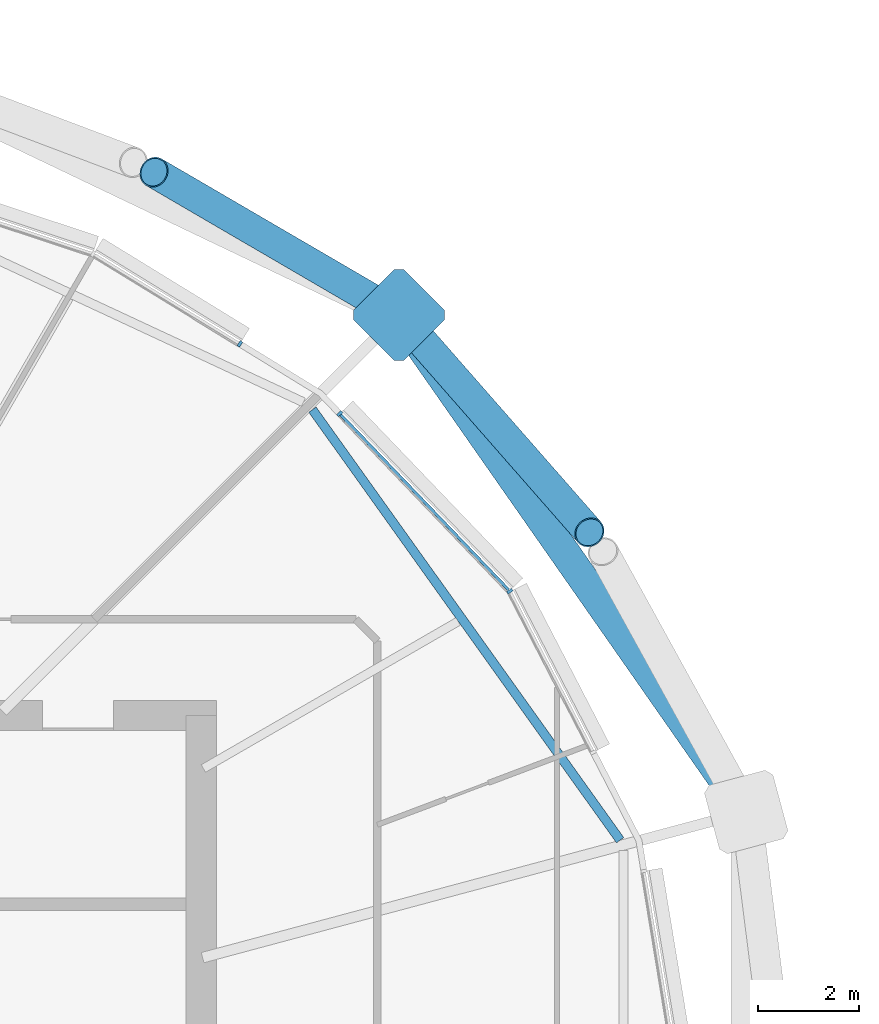
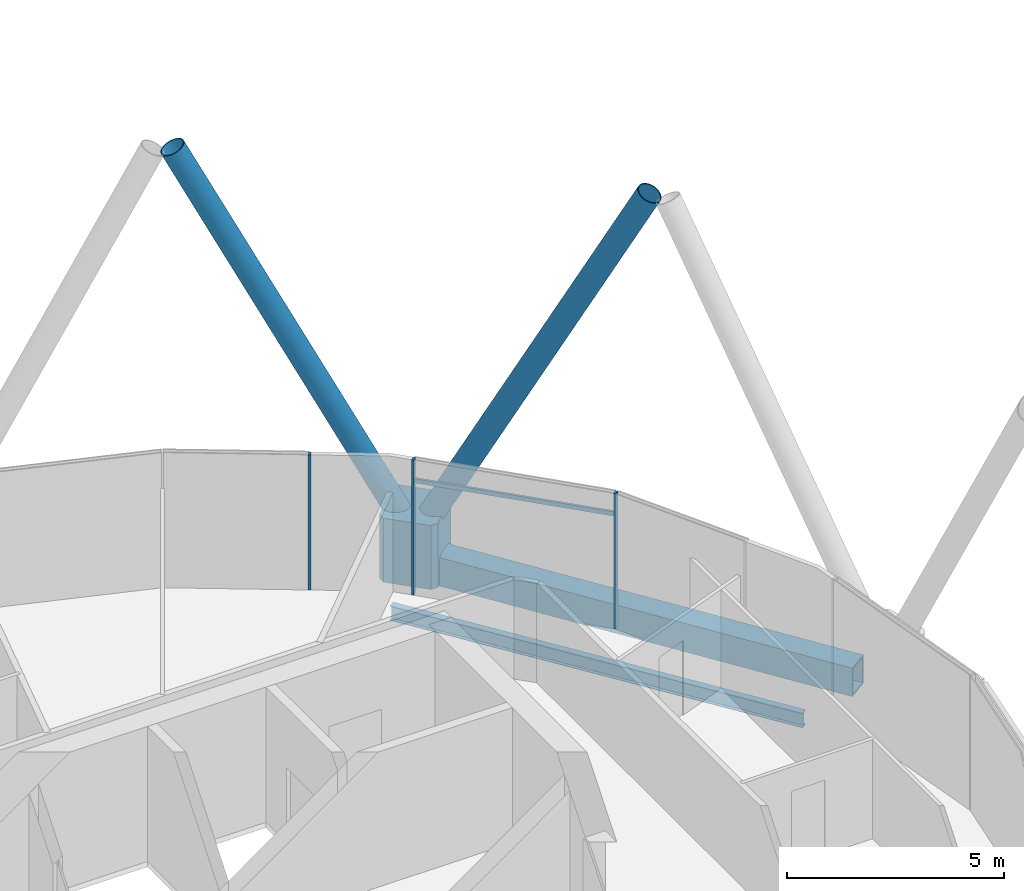
# One storey, part 12 of 36: 7 members, 2 beams, 1 element without a shape of its own.
"""IFC4 building model written with IfcOpenShell, lengths in metres."""

from ifc_helpers import new_model, si_unit, direction, frame, origin, origin_2d, place, context, subcontext, project, spatial, polyline, rectangle, hollow_rectangle, hollow_circle, i_section, outline, extrude, material, material_profile, profile_set, type_object, element, aggregate, save


model = new_model("IFC4")

# Units and contexts
model_context = context("Model", 3, precision=1e-05, world=origin(), true_north=direction((0.0, 1.0)))
body_context = subcontext(model_context, "Body", "Model", "MODEL_VIEW")
ifc_project = project(units=[si_unit("LENGTHUNIT", "METRE"), si_unit("AREAUNIT", "SQUARE_METRE"), si_unit("VOLUMEUNIT", "CUBIC_METRE"), si_unit("PLANEANGLEUNIT", "RADIAN"), si_unit("MASSUNIT", "GRAM", prefix="KILO")], contexts=[model_context])

# Site, building, storey
site_placement = place(None, origin())
site = spatial("IfcSite", under=ifc_project, at=site_placement, CompositionType="ELEMENT")
building_placement = place(site_placement, origin())
building = spatial("IfcBuilding", under=site, at=building_placement, Name="Rimbun Link Towers", CompositionType="ELEMENT")
storey_placement = place(building_placement, frame((0.0, 0.0, 193.10009765625)))
storey = spatial("IfcBuildingStorey", under=building, at=storey_placement, Name="L47", CompositionType="ELEMENT", Elevation=193.10009765625)

# Curtain wall, members
ifc_material_1 = material(Name="Aluminium 6063-T6 and low-iron glass", Category="aluminium")
curtain_wall_type = type_object("IfcCurtainWallType", Name="CW1-Z3 unitised vision wall (zone 3)", PredefinedType="NOTDEFINED", material=ifc_material_1)
curtain_wall_placement = place(storey_placement, origin())
curtain_wall = element("IfcCurtainWall", 1, at=curtain_wall_placement, inside=storey, type_object=curtain_wall_type, Name="CW1 L47 T1", PredefinedType="NOTDEFINED")
ifc_material_2 = material(Name="Aluminium 6063-T6", Category="aluminium")
ifc_material_profile_1 = material_profile(ifc_material_2, rectangle(XDim=0.1201171875, YDim=0.06005859375, at=origin_2d()), Name="MULLION 60X120")
ifc_profile_set_1 = profile_set([ifc_material_profile_1], Name="Aluminium 6063-T6")
member_type_1 = type_object("IfcMemberType", Name="CW1 mullion 60X120", PredefinedType="MULLION", material=ifc_profile_set_1)
member_1_placement = place(storey_placement, frame((-13.660888671875, 10.450439453125, 0.0), z_axis=(0.0, 0.0, 1.0), x_axis=(0.813350615069, 0.581773819423, 0.0)))
member_1 = element("IfcMember", 2, at=member_1_placement, type_object=member_type_1, Name="CW1 mullion", PredefinedType="MULLION", context=body_context, shape_type="SweptSolid", body=[
    extrude(rectangle(XDim=0.1201171875, YDim=0.06005859375, at=origin_2d()), origin(), (0.0, 0.0, 1.0), 3.7998046875),
])
member_2_placement = place(storey_placement, frame((-17.017578125, 13.952880859375, 0.0), z_axis=(0.0, 0.0, 1.0), x_axis=(0.721858505917, 0.692040676143, 0.0)))
member_2 = element("IfcMember", 3, at=member_2_placement, type_object=member_type_1, Name="CW1 mullion", PredefinedType="MULLION", context=body_context, shape_type="SweptSolid", body=[
    extrude(rectangle(XDim=0.1201171875, YDim=0.06005859375, at=origin_2d()), origin(), (0.0, 0.0, 1.0), 3.7998046875),
])
member_3_placement = place(storey_placement, frame((-18.98681640625, 15.327392578125, 0.0), z_axis=(0.0, 0.0, 1.0), x_axis=(0.523229231966, 0.852191980023, 0.0)))
member_3 = element("IfcMember", 4, at=member_3_placement, type_object=member_type_1, Name="CW1 mullion", PredefinedType="MULLION", context=body_context, shape_type="SweptSolid", body=[
    extrude(rectangle(XDim=0.1201171875, YDim=0.06005859375, at=origin_2d()), origin(), (0.0, 0.0, 1.0), 3.7998046875),
])
ifc_material_3 = material(Name="Aluminium 6063-T6", Category="aluminium")
ifc_material_profile_2 = material_profile(ifc_material_3, rectangle(XDim=0.06005859375, YDim=0.1201171875, at=origin_2d()), Name="TRANSOM 60X120")
ifc_profile_set_2 = profile_set([ifc_material_profile_2], Name="Aluminium 6063-T6")
member_type_2 = type_object("IfcMemberType", Name="CW1 transom 60X120", PredefinedType="USERDEFINED", material=ifc_profile_set_2)
member_4_placement = place(storey_placement, frame((-16.998291015625, 13.929931640625, 3.199951171875), z_axis=(0.692018439281, -0.721879823582, 0.0), x_axis=(0.721879823582, 0.692018439281, 0.0)))
member_4 = element("IfcMember", 5, at=member_4_placement, type_object=member_type_2, Name="CW1 transom", ObjectType="TRANSOM", PredefinedType="USERDEFINED", context=body_context, shape_type="SweptSolid", body=[
    extrude(rectangle(XDim=0.06005859375, YDim=0.1201171875, at=origin_2d()), origin(), (0.0, 0.0, 1.0), 4.782958984375),
])
aggregate(curtain_wall, [member_1, member_2, member_3, member_4])

# Members
ifc_material_4 = material(Name="Steel S355J2H", Category="steel")
ifc_material_profile_3 = material_profile(ifc_material_4, hollow_circle(Radius=0.3046875, WallThickness=0.02490234375, at=origin_2d()), Name="Diagrid diagonal CHS 610x25")
ifc_profile_set_3 = profile_set([ifc_material_profile_3], Name="Steel S355J2H")
member_type_3 = type_object("IfcMemberType", Name="Diagrid diagonal CHS 610x25", PredefinedType="BRACE", material=ifc_profile_set_3)
member_5_placement = place(storey_placement, frame((-15.698486328125, 15.7255859375, 0.443359375), z_axis=(0.304382608155, -0.347127188009, 0.887047881006), x_axis=(0.751882503674, 0.659297126241, 0.0)))
element("IfcMember", 6, at=member_5_placement, inside=storey, type_object=member_type_3, Name="Diagrid diagonal T1 L47-L50 03a", PredefinedType="BRACE", context=body_context, shape_type="SweptSolid", body=[
    extrude(hollow_circle(Radius=0.3046875, WallThickness=0.02490234375, at=origin_2d()), origin(), (0.0, 0.0, 1.0), 11.8515625),
])
member_6_placement = place(storey_placement, frame((-16.047119140625, 16.013916015625, 0.4453125), z_axis=(-0.392796143423, 0.228986247327, 0.890660703212), x_axis=(-0.503633329111, -0.863917513313, 0.0)))
element("IfcMember", 7, at=member_6_placement, inside=storey, type_object=member_type_3, Name="Diagrid diagonal T1 L47-L50 03b", PredefinedType="BRACE", context=body_context, shape_type="SweptSolid", body=[
    extrude(hollow_circle(Radius=0.3046875, WallThickness=0.02490234375, at=origin_2d()), origin(), (0.0, 0.0, 1.0), 11.79931640625),
])
ifc_material_5 = material(Name="Cast steel G20Mn5+QT, Rp0.2 300 MPa", Category="steel")
ifc_material_profile_4 = material_profile(ifc_material_5, outline(polyline([(0.699951171875, -0.570068359375), (0.699951171875, 0.570068359375), (0.570068359375, 0.699951171875), (-0.570068359375, 0.699951171875), (-0.699951171875, 0.570068359375), (-0.699951171875, -0.570068359375), (-0.570068359375, -0.699951171875), (0.570068359375, -0.699951171875), (0.699951171875, -0.570068359375)])), Name="NODE 1400x1400")
ifc_profile_set_4 = profile_set([ifc_material_profile_4], Name="Cast steel G20Mn5+QT, Rp0.2 300 MPa")
member_type_4 = type_object("IfcMemberType", Name="Diagrid node cast 1400", PredefinedType="USERDEFINED", material=ifc_profile_set_4)
member_7_placement = place(storey_placement, frame((-15.8505859375, 15.8994140625, -0.900146484375), z_axis=(0.0, 0.0, 1.0), x_axis=(0.707106781187, 0.707106781187, 0.0)))
element("IfcMember", 8, at=member_7_placement, inside=storey, type_object=member_type_4, Name="Diagrid node L47 03", ObjectType="Diagrid node", PredefinedType="USERDEFINED", context=body_context, shape_type="SweptSolid", body=[
    extrude(outline(polyline([(0.699951171875, -0.570068359375), (0.699951171875, 0.570068359375), (0.570068359375, 0.699951171875), (-0.570068359375, 0.699951171875), (-0.699951171875, 0.570068359375), (-0.699951171875, -0.570068359375), (-0.570068359375, -0.699951171875), (0.570068359375, -0.699951171875), (0.699951171875, -0.570068359375)])), origin(), (0.0, 0.0, 1.0), 1.800048828125),
])

# Beams
ifc_material_6 = material(Name="Steel S355J2", Category="steel")
ifc_material_profile_5 = material_profile(ifc_material_6, hollow_rectangle(XDim=0.60009765625, YDim=0.800048828125, WallThickness=0.0400390625, at=origin_2d()), Name="Exoskeleton ring girder BOX 600x800x40")
ifc_profile_set_5 = profile_set([ifc_material_profile_5], Name="Steel S355J2")
beam_type_1 = type_object("IfcBeamType", Name="Exoskeleton ring girder BOX 600x800x40", PredefinedType="BEAM", material=ifc_profile_set_5)
beam_1_placement = place(storey_placement, frame((-9.40087890625, 6.669677734375, -0.56005859375), z_axis=(-0.572813571844, 0.819685678728, 0.0), x_axis=(-0.819685678728, -0.572813571844, 0.0)))
element("IfcBeam", 9, at=beam_1_placement, inside=storey, type_object=beam_type_1, Name="Exoskeleton ring girder L47 00", PredefinedType="BEAM", context=body_context, shape_type="SweptSolid", body=[
    extrude(hollow_rectangle(XDim=0.60009765625, YDim=0.800048828125, WallThickness=0.0400390625, at=origin_2d()), origin(), (0.0, 0.0, 1.0), 10.559814453125),
])
ifc_material_7 = material(Name="Steel S355J2", Category="steel")
ifc_material_profile_6 = material_profile(ifc_material_7, i_section(OverallWidth=0.177978515625, OverallDepth=0.406494140625, WebThickness=0.0078125, FlangeThickness=0.0126953125, at=origin_2d()), Name="UB 406x178x60")
ifc_profile_set_6 = profile_set([ifc_material_profile_6], Name="Steel S355J2")
beam_type_2 = type_object("IfcBeamType", Name="UB 406x178x60", PredefinedType="BEAM", material=ifc_profile_set_6)
beam_2_placement = place(storey_placement, frame((-11.48583984375, 5.5390625, -0.353271484375), z_axis=(-0.581457192376, 0.813576999082, 0.0), x_axis=(-0.813576999082, -0.581457192376, 0.0)))
element("IfcBeam", 10, at=beam_2_placement, inside=storey, type_object=beam_type_2, Name="Edge beam T1 L47 01-03", PredefinedType="BEAM", context=body_context, shape_type="SweptSolid", body=[
    extrude(i_section(OverallWidth=0.177978515625, OverallDepth=0.406494140625, WebThickness=0.0078125, FlangeThickness=0.0126953125, at=origin_2d()), origin(), (0.0, 0.0, 1.0), 10.43896484375),
])

save(model, "model.ifc")
